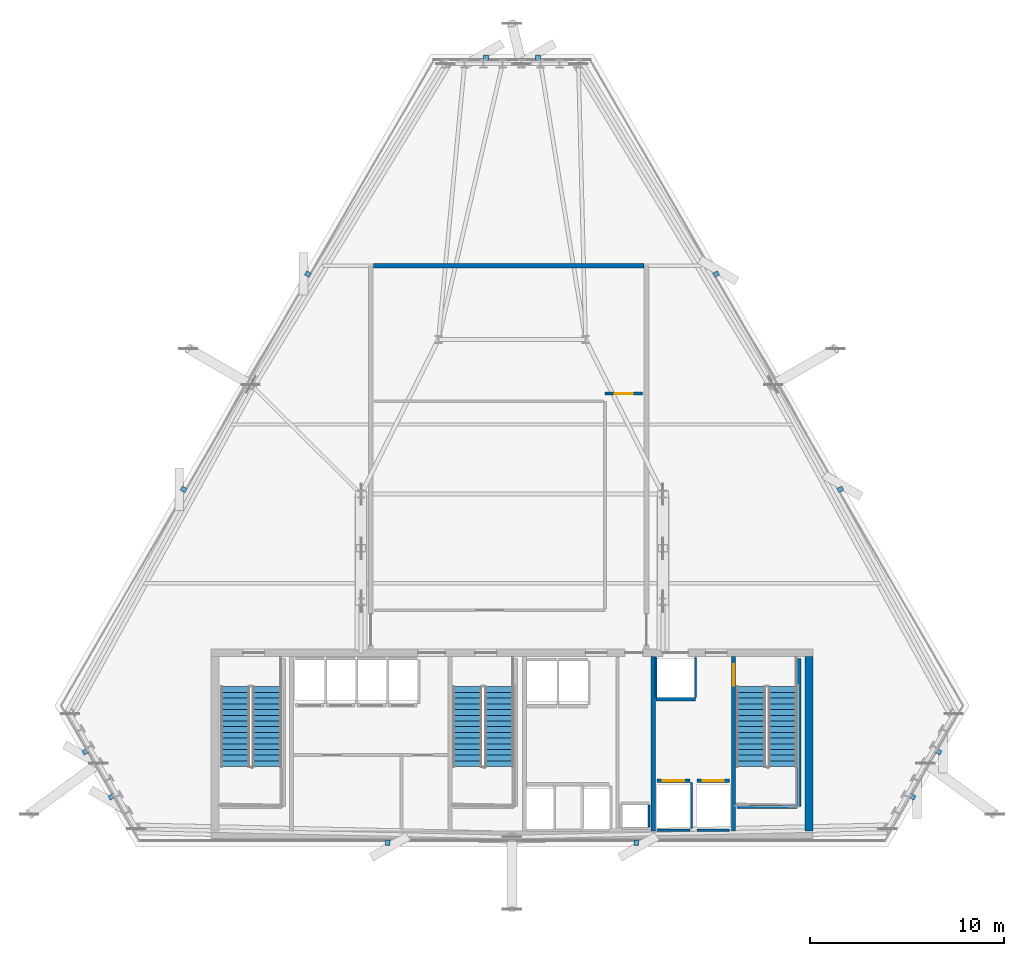
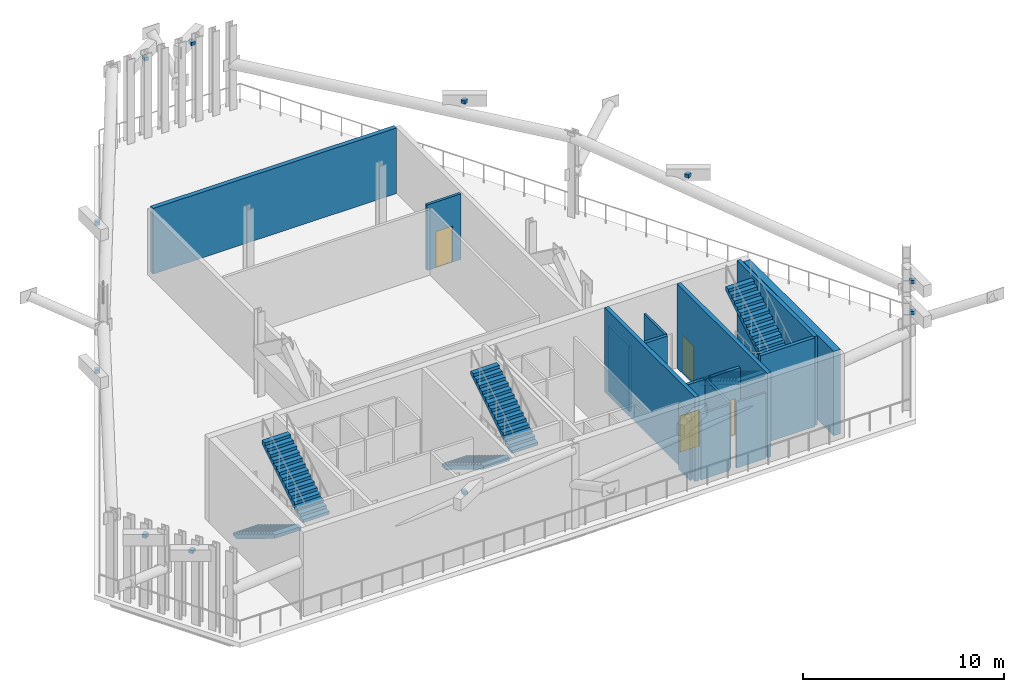
# One storey, part 5 of 11: 16 walls, 12 discrete accessories, 6 stair flights, 4 doors, 4 openings, 3 elements without a shape of their own.
"""IFC4 building model written with IfcOpenShell, lengths in metres."""

from ifc_helpers import new_model, si_unit, direction, frame, frame_2d, origin, origin_2d, place, context, subcontext, project, spatial, polyline, rectangle, outline, extrude, material, layer, layer_set, type_object, element, fill, aggregate, save


model = new_model("IFC4")

# Units and contexts
model_context = context("Model", 3, precision=1e-05, world=origin(), true_north=direction((0.0, 1.0)))
body_context = subcontext(model_context, "Body", "Model", "MODEL_VIEW")
ifc_project = project(units=[si_unit("LENGTHUNIT", "METRE"), si_unit("AREAUNIT", "SQUARE_METRE"), si_unit("VOLUMEUNIT", "CUBIC_METRE"), si_unit("PLANEANGLEUNIT", "RADIAN"), si_unit("MASSUNIT", "GRAM", prefix="KILO")], contexts=[model_context])

# Site, building, storey
site_placement = place(None, origin())
site = spatial("IfcSite", under=ifc_project, at=site_placement, CompositionType="ELEMENT")
building_placement = place(site_placement, origin())
building = spatial("IfcBuilding", under=site, at=building_placement, Name="Ndaravel Arena Tower", CompositionType="ELEMENT")
storey_placement = place(building_placement, frame((0.0, 0.0, 203.0)))
storey = spatial("IfcBuildingStorey", under=building, at=storey_placement, Name="L49", CompositionType="ELEMENT", Elevation=203.0)

# Wall, opening, door
ifc_material_1 = material(Name="Gypsum", Category="gypsum")
ifc_layer_1 = layer(ifc_material_1, 0.14990234375)
ifc_layer_set_1 = layer_set([ifc_layer_1], Name="Gypsum")
wall_type_1 = type_object("IfcWallType", Name="WALL-COMP-150", PredefinedType="PARTITIONING", material=ifc_layer_set_1)
wall_1_placement = place(storey_placement, frame((46.800048828125, 28.39990234375, 0.0), z_axis=(0.0, 0.0, 1.0), x_axis=(1.0, 0.0, 0.0)))
wall_1 = element("IfcWall", 1, at=wall_1_placement, inside=storey, type_object=wall_type_1, Name="L49 Interior Partition 003", PredefinedType="PARTITIONING", context=body_context, shape_type="SweptSolid", body=[
    extrude(rectangle(XDim=1.949951171875, YDim=0.14990234375, at=frame_2d((0.97509765625, 0.0))), origin(), (0.0, 0.0, 1.0), 3.989990234375),
])
opening_1_placement = place(wall_1_placement, frame((0.5, 0.0, 0.0)))
opening_1 = element("IfcOpeningElement", 2, at=opening_1_placement, cuts=wall_1, Name="Opening FD-03", PredefinedType="OPENING", context=body_context, shape_type="SweptSolid", body=[
    extrude(rectangle(XDim=0.949951171875, YDim=2.199951171875, at=frame_2d((0.47509765625, 1.10009765625))), frame((0.0, 0.074951171875, 0.0), z_axis=(0.0, -1.0, 0.0), x_axis=(1.0, 0.0, 0.0)), (0.0, 0.0, 1.0), 0.14990234375),
])
ifc_material_2 = material(Name="Steel S355", Category="steel")
door_type_1 = type_object("IfcDoorType", Name="DT-11-CORE-950", OperationType="SINGLE_SWING_LEFT", PredefinedType="DOOR", material=ifc_material_2)
door_1_placement = place(opening_1_placement, origin())
door_1 = element("IfcDoor", 3, at=door_1_placement, inside=storey, type_object=door_type_1, Name="L49 L49 Heat Exchanger & BMS Room Door", OperationType="SINGLE_SWING_LEFT", OverallHeight=2.199951171875, OverallWidth=0.949951171875, PredefinedType="DOOR", context=body_context, shape_type="SweptSolid", body=[
    extrude(rectangle(XDim=0.949951171875, YDim=2.199951171875, at=frame_2d((0.47509765625, 1.10009765625))), frame((0.0, 0.02490234375, 0.0), z_axis=(0.0, -1.0, 0.0), x_axis=(1.0, 0.0, 0.0)), (0.0, 0.0, 1.0), 0.050048828125),
])
fill(opening_1, door_1)

# Wall
ifc_material_3 = material(Name="Concrete C50/60", Category="concrete")
ifc_layer_2 = layer(ifc_material_3, 0.219970703125)
ifc_layer_set_2 = layer_set([ifc_layer_2], Name="Concrete C50/60")
wall_type_2 = type_object("IfcWallType", Name="WALL-CORE-220", PredefinedType="SOLIDWALL", material=ifc_layer_set_2)
wall_2_placement = place(storey_placement, frame((49.300048828125, 5.800048828125, 0.0), z_axis=(0.0, 0.0, 1.0), x_axis=(0.0, 1.0, 0.0)))
element("IfcWall", 4, at=wall_2_placement, inside=storey, type_object=wall_type_2, Name="L49 Core Web Shear Wall 4", PredefinedType="SOLIDWALL", context=body_context, shape_type="SweptSolid", body=[
    extrude(rectangle(XDim=9.0, YDim=0.219970703125, at=frame_2d((4.5, 0.0))), origin(), (0.0, 0.0, 1.0), 5.1201171875),
])

# Wall, opening, door
wall_3_placement = place(storey_placement, frame((53.449951171875, 5.800048828125, 0.0), z_axis=(0.0, 0.0, 1.0), x_axis=(0.0, 1.0, 0.0)))
wall_3 = element("IfcWall", 5, at=wall_3_placement, inside=storey, type_object=wall_type_2, Name="L49 Core Web Shear Wall 5", PredefinedType="SOLIDWALL", context=body_context, shape_type="SweptSolid", body=[
    extrude(rectangle(XDim=9.0, YDim=0.219970703125, at=frame_2d((4.5, 0.0))), origin(), (0.0, 0.0, 1.0), 5.1201171875),
])
opening_2_placement = place(wall_3_placement, frame((7.5, 0.0, 0.0)))
opening_2 = element("IfcOpeningElement", 6, at=opening_2_placement, cuts=wall_3, Name="Opening FD-01", PredefinedType="OPENING", context=body_context, shape_type="SweptSolid", body=[
    extrude(rectangle(XDim=1.10009765625, YDim=2.199951171875, at=frame_2d((0.550048828125, 1.10009765625))), frame((0.0, 0.10986328125, 0.0), z_axis=(0.0, -1.0, 0.0), x_axis=(1.0, 0.0, 0.0)), (0.0, 0.0, 1.0), 0.219970703125),
])
ifc_material_4 = material(Name="Steel S355", Category="steel")
door_type_2 = type_object("IfcDoorType", Name="DT-01-STAIR-1100", OperationType="SINGLE_SWING_LEFT", PredefinedType="DOOR", material=ifc_material_4)
door_2_placement = place(opening_2_placement, origin())
door_2 = element("IfcDoor", 7, at=door_2_placement, inside=storey, type_object=door_type_2, Name="L49 Firefighting Lobby to ST-3 Door", OperationType="SINGLE_SWING_LEFT", OverallHeight=2.199951171875, OverallWidth=1.10009765625, PredefinedType="DOOR", context=body_context, shape_type="SweptSolid", body=[
    extrude(rectangle(XDim=1.10009765625, YDim=2.199951171875, at=frame_2d((0.550048828125, 1.10009765625))), frame((0.0, 0.02490234375, 0.0), z_axis=(0.0, -1.0, 0.0), x_axis=(1.0, 0.0, 0.0)), (0.0, 0.0, 1.0), 0.050048828125),
])
fill(opening_2, door_2)

# Walls
ifc_material_5 = material(Name="Concrete C50/60", Category="concrete")
ifc_layer_3 = layer(ifc_material_5, 0.39990234375)
ifc_layer_set_3 = layer_set([ifc_layer_3], Name="Concrete C50/60")
wall_type_3 = type_object("IfcWallType", Name="WALL-CORE-400", PredefinedType="SOLIDWALL", material=ifc_layer_set_3)
wall_4_placement = place(storey_placement, frame((57.35009765625, 5.800048828125, 0.0), z_axis=(0.0, 0.0, 1.0), x_axis=(0.0, 1.0, 0.0)))
element("IfcWall", 8, at=wall_4_placement, inside=storey, type_object=wall_type_3, Name="L49 Core East Shear Wall", PredefinedType="SOLIDWALL", context=body_context, shape_type="SweptSolid", body=[
    extrude(rectangle(XDim=9.0, YDim=0.39990234375, at=frame_2d((4.5, 0.0))), origin(), (0.0, 0.0, 1.0), 5.1201171875),
])
ifc_material_6 = material(Name="Masonry", Category="masonry")
ifc_layer_4 = layer(ifc_material_6, 0.300048828125)
ifc_layer_set_4 = layer_set([ifc_layer_4], Name="Masonry")
wall_type_4 = type_object("IfcWallType", Name="WALL-POD-MAZERAS-300", PredefinedType="SOLIDWALL", material=ifc_layer_set_4)
wall_5_placement = place(storey_placement, frame((34.830078125, 35.0, 0.0), z_axis=(0.0, 0.0, 1.0), x_axis=(1.0, 0.0, 0.0)))
element("IfcWall", 9, at=wall_5_placement, inside=storey, type_object=wall_type_4, Name="L49 Wind Floor North BMS Enclosure", PredefinedType="SOLIDWALL", context=body_context, shape_type="SweptSolid", body=[
    extrude(rectangle(XDim=13.989990234375, YDim=0.25, at=frame_2d((6.9951171875, 0.0))), origin(), (0.0, 0.0, 1.0), 3.989990234375),
])
ifc_material_7 = material(Name="Concrete C40/50", Category="concrete")
ifc_layer_5 = layer(ifc_material_7, 0.1201171875)
ifc_layer_set_5 = layer_set([ifc_layer_5], Name="Concrete C40/50")
wall_type_5 = type_object("IfcWallType", Name="WALL-SHAFT-120", PredefinedType="SOLIDWALL", material=ifc_layer_set_5)
wall_6_placement = place(storey_placement, frame((49.080078125, 6.0, 0.0), z_axis=(0.0, 0.0, 1.0), x_axis=(0.0, 1.0, 0.0)))
element("IfcWall", 10, at=wall_6_placement, inside=storey, type_object=wall_type_5, Name="L49 MEP Riser Shaft E Wall", PredefinedType="SOLIDWALL", context=body_context, shape_type="SweptSolid", body=[
    extrude(rectangle(XDim=1.139892578125, YDim=0.1201171875, at=frame_2d((0.56982421875, 0.0))), origin(), (0.0, 0.0, 1.0), 3.989990234375),
])
wall_7_placement = place(storey_placement, frame((49.5048828125, 5.840087890625, 0.0), z_axis=(0.0, 0.0, 1.0), x_axis=(1.0, 0.0, 0.0)))
element("IfcWall", 11, at=wall_7_placement, inside=storey, type_object=wall_type_5, Name="L49 FFL-1 Shaft Rear Wall", PredefinedType="SOLIDWALL", context=body_context, shape_type="SweptSolid", body=[
    extrude(rectangle(XDim=1.690185546875, YDim=0.1201171875, at=frame_2d((0.84521484375, 0.0))), origin(), (0.0, 0.0, 1.0), 3.989990234375),
])
wall_8_placement = place(storey_placement, frame((51.27490234375, 5.929931640625, 0.0), z_axis=(0.0, 0.0, 1.0), x_axis=(0.0, 1.0, 0.0)))
element("IfcWall", 12, at=wall_8_placement, inside=storey, type_object=wall_type_5, Name="L49 FFL-1 Shaft Side R Wall", PredefinedType="SOLIDWALL", context=body_context, shape_type="SweptSolid", body=[
    extrude(rectangle(XDim=2.380126953125, YDim=0.1201171875, at=frame_2d((1.18994140625, 0.0))), origin(), (0.0, 0.0, 1.0), 3.989990234375),
])
wall_9_placement = place(storey_placement, frame((51.554931640625, 5.840087890625, 0.0), z_axis=(0.0, 0.0, 1.0), x_axis=(1.0, 0.0, 0.0)))
element("IfcWall", 13, at=wall_9_placement, inside=storey, type_object=wall_type_5, Name="L49 FFL-2 Shaft Rear Wall", PredefinedType="SOLIDWALL", context=body_context, shape_type="SweptSolid", body=[
    extrude(rectangle(XDim=1.690185546875, YDim=0.1201171875, at=frame_2d((0.84521484375, 0.0))), origin(), (0.0, 0.0, 1.0), 3.989990234375),
])
for number, where, z_axis, x_axis, name in (
    (14, (49.43994140625, 12.68994140625, 0.0), (0.0, 0.0, 1.0), (0.0, 1.0, 0.0), "L49 SVL-1 Shaft W Wall"),
    (15, (51.47998046875, 12.68994140625, 0.0), (0.0, 0.0, 1.0), (0.0, 1.0, 0.0), "L49 SVL-1 Shaft E Wall"),
):
    element("IfcWall", number, at=place(storey_placement, frame(where, z_axis=z_axis, x_axis=x_axis)), inside=storey, type_object=wall_type_5, Name=name, PredefinedType="SOLIDWALL", context=body_context, shape_type="SweptSolid", body=[
        extrude(rectangle(XDim=2.070068359375, YDim=0.1201171875, at=frame_2d((1.03515625, 0.0))), origin(), (0.0, 0.0, 1.0), 3.989990234375),
    ])
ifc_material_8 = material(Name="Concrete C40/50", Category="concrete")
ifc_layer_6 = layer(ifc_material_8, 0.199951171875)
ifc_layer_set_6 = layer_set([ifc_layer_6], Name="Concrete C40/50")
wall_type_6 = type_object("IfcWallType", Name="WALL-SHAFT-200", PredefinedType="SOLIDWALL", material=ifc_layer_set_6)
wall_10_placement = place(storey_placement, frame((56.840087890625, 14.699951171875, 0.0), z_axis=(0.0, 0.0, 1.0), x_axis=(0.0, -1.0, 0.0)))
element("IfcWall", 16, at=wall_10_placement, inside=storey, type_object=wall_type_6, Name="L49 ST-3 Structural Shaft Wall Right", PredefinedType="SOLIDWALL", context=body_context, shape_type="SweptSolid", body=[
    extrude(rectangle(XDim=7.64990234375, YDim=0.199951171875, at=frame_2d((3.824951171875, 0.0))), origin(), (0.0, 0.0, 1.0), 5.39990234375),
])
wall_11_placement = place(storey_placement, frame((53.6201171875, 7.050048828125, 0.0), z_axis=(0.0, 0.0, 1.0), x_axis=(1.0, 0.0, 0.0)))
element("IfcWall", 17, at=wall_11_placement, inside=storey, type_object=wall_type_6, Name="L49 ST-3 Structural Shaft Wall Far", PredefinedType="SOLIDWALL", context=body_context, shape_type="SweptSolid", body=[
    extrude(rectangle(XDim=3.114990234375, YDim=0.199951171875, at=frame_2d((1.5576171875, 0.0))), origin(), (0.0, 0.0, 1.0), 5.39990234375),
])

# Wall, opening, door
wall_12_placement = place(storey_placement, frame((49.5048828125, 8.39990234375, 0.0), z_axis=(0.0, 0.0, 1.0), x_axis=(1.0, 0.0, 0.0)))
wall_12 = element("IfcWall", 18, at=wall_12_placement, inside=storey, type_object=wall_type_6, Name="L49 FFL-1 Shaft Landing Wall", PredefinedType="SOLIDWALL", context=body_context, shape_type="SweptSolid", body=[
    extrude(rectangle(XDim=1.690185546875, YDim=0.179931640625, at=frame_2d((0.84521484375, 0.0))), origin(), (0.0, 0.0, 1.0), 3.989990234375),
])
opening_3_placement = place(wall_12_placement, frame((0.294921875, 0.0, 0.0)))
opening_3 = element("IfcOpeningElement", 19, at=opening_3_placement, cuts=wall_12, Name="Opening LD-01", PredefinedType="OPENING", context=body_context, shape_type="SweptSolid", body=[
    extrude(rectangle(XDim=1.10009765625, YDim=2.199951171875, at=frame_2d((0.550048828125, 1.10009765625))), frame((0.0, 0.08984375, 0.0), z_axis=(0.0, -1.0, 0.0), x_axis=(1.0, 0.0, 0.0)), (0.0, 0.0, 1.0), 0.179931640625),
])
ifc_material_9 = material(Name="Steel S355", Category="steel")
door_type_3 = type_object("IfcDoorType", Name="DT-06-LIFT-1100", OperationType="SLIDING_TO_LEFT", PredefinedType="DOOR", material=ifc_material_9)
door_3_placement = place(opening_3_placement, origin())
door_3 = element("IfcDoor", 20, at=door_3_placement, inside=storey, type_object=door_type_3, Name="L49 Lift FFL-1 Sliding Landing Door", OperationType="SLIDING_TO_LEFT", OverallHeight=2.199951171875, OverallWidth=1.10009765625, PredefinedType="DOOR", context=body_context, shape_type="SweptSolid", body=[
    extrude(rectangle(XDim=1.10009765625, YDim=2.199951171875, at=frame_2d((0.550048828125, 1.10009765625))), frame((0.0, 0.02490234375, 0.0), z_axis=(0.0, -1.0, 0.0), x_axis=(1.0, 0.0, 0.0)), (0.0, 0.0, 1.0), 0.050048828125),
])
fill(opening_3, door_3)

wall_13_placement = place(storey_placement, frame((51.554931640625, 8.39990234375, 0.0), z_axis=(0.0, 0.0, 1.0), x_axis=(1.0, 0.0, 0.0)))
wall_13 = element("IfcWall", 21, at=wall_13_placement, inside=storey, type_object=wall_type_6, Name="L49 FFL-2 Shaft Landing Wall", PredefinedType="SOLIDWALL", context=body_context, shape_type="SweptSolid", body=[
    extrude(rectangle(XDim=1.690185546875, YDim=0.179931640625, at=frame_2d((0.84521484375, 0.0))), origin(), (0.0, 0.0, 1.0), 3.989990234375),
])
opening_4_placement = place(wall_13_placement, frame((0.294921875, 0.0, 0.0)))
opening_4 = element("IfcOpeningElement", 22, at=opening_4_placement, cuts=wall_13, Name="Opening LD-01", PredefinedType="OPENING", context=body_context, shape_type="SweptSolid", body=[
    extrude(rectangle(XDim=1.10009765625, YDim=2.199951171875, at=frame_2d((0.550048828125, 1.10009765625))), frame((0.0, 0.08984375, 0.0), z_axis=(0.0, -1.0, 0.0), x_axis=(1.0, 0.0, 0.0)), (0.0, 0.0, 1.0), 0.179931640625),
])
door_4_placement = place(opening_4_placement, origin())
door_4 = element("IfcDoor", 23, at=door_4_placement, inside=storey, type_object=door_type_3, Name="L49 Lift FFL-2 Sliding Landing Door", OperationType="SLIDING_TO_LEFT", OverallHeight=2.199951171875, OverallWidth=1.10009765625, PredefinedType="DOOR", context=body_context, shape_type="SweptSolid", body=[
    extrude(rectangle(XDim=1.10009765625, YDim=2.199951171875, at=frame_2d((0.550048828125, 1.10009765625))), frame((0.0, 0.02490234375, 0.0), z_axis=(0.0, -1.0, 0.0), x_axis=(1.0, 0.0, 0.0)), (0.0, 0.0, 1.0), 0.050048828125),
])
fill(opening_4, door_4)

# Wall
wall_14_placement = place(storey_placement, frame((49.43994140625, 12.594970703125, 0.0), z_axis=(0.0, 0.0, 1.0), x_axis=(1.0, 0.0, 0.0)))
element("IfcWall", 24, at=wall_14_placement, inside=storey, type_object=wall_type_6, Name="L49 SVL-1 Shaft South Wall", PredefinedType="SOLIDWALL", context=body_context, shape_type="SweptSolid", body=[
    extrude(rectangle(XDim=2.0400390625, YDim=0.179931640625, at=frame_2d((1.02001953125, 0.0))), origin(), (0.0, 0.0, 1.0), 3.989990234375),
])

# Stair, stair flights
ifc_material_10 = material(Name="Concrete C40/50", Category="concrete")
stair_type = type_object("IfcStairType", Name="STAIR-CORE-HT", PredefinedType="HALF_TURN_STAIR", material=ifc_material_10)
stair_1_placement = place(storey_placement, origin())
stair_1 = element("IfcStair", 25, at=stair_1_placement, inside=storey, type_object=stair_type, Name="L49 ST-1", PredefinedType="HALF_TURN_STAIR")
ifc_material_11 = material(Name="Concrete C40/50", Category="concrete")
stair_flight_type = type_object("IfcStairFlightType", Name="SFLIGHT-CORE-1680", PredefinedType="STRAIGHT", material=ifc_material_11)
stair_flight_1_placement = place(storey_placement, frame((27.699951171875, 13.25, 0.0), z_axis=(0.0, 0.0, 1.0), x_axis=(0.0, -1.0, 0.0)))
stair_flight_1 = element("IfcStairFlight", 26, at=stair_flight_1_placement, type_object=stair_flight_type, Name="ST-1 flight 1", NumberOfRisers=15, NumberOfTreads=14, PredefinedType="STRAIGHT", RiserHeight=0.18, TreadLength=0.295, context=body_context, shape_type="SweptSolid", body=[
    extrude(outline(polyline([(0.0, 0.0), (0.0, 0.179931640625), (0.294921875, 0.179931640625), (0.294921875, 0.360107421875), (0.590087890625, 0.360107421875), (0.590087890625, 0.5400390625), (0.885009765625, 0.5400390625), (0.885009765625, 0.719970703125), (1.179931640625, 0.719970703125), (1.179931640625, 0.89990234375), (1.47509765625, 0.89990234375), (1.47509765625, 1.080078125), (1.77001953125, 1.080078125), (1.77001953125, 1.260009765625), (2.06494140625, 1.260009765625), (2.06494140625, 1.43994140625), (2.360107421875, 1.43994140625), (2.360107421875, 1.6201171875), (2.655029296875, 1.6201171875), (2.655029296875, 1.800048828125), (2.949951171875, 1.800048828125), (2.949951171875, 1.97998046875), (3.2451171875, 1.97998046875), (3.2451171875, 2.159912109375), (3.5400390625, 2.159912109375), (3.5400390625, 2.340087890625), (3.8349609375, 2.340087890625), (3.8349609375, 2.52001953125), (4.1298828125, 2.52001953125), (4.1298828125, 2.699951171875), (4.1298828125, 2.309326171875), (0.345458984375, 0.0), (0.0, 0.0)])), frame((0.0, 0.75, 0.0), z_axis=(0.0, -1.0, 0.0), x_axis=(1.0, 0.0, 0.0)), (0.0, 0.0, 1.0), 1.5),
])
stair_flight_2_placement = place(storey_placement, frame((29.340087890625, 9.1201171875, 2.699951171875), z_axis=(0.0, 0.0, 1.0), x_axis=(0.0, 1.0, 0.0)))
stair_flight_2 = element("IfcStairFlight", 27, at=stair_flight_2_placement, type_object=stair_flight_type, Name="ST-1 flight 2", NumberOfRisers=15, NumberOfTreads=14, PredefinedType="STRAIGHT", RiserHeight=0.18, TreadLength=0.295, context=body_context, shape_type="SweptSolid", body=[
    extrude(outline(polyline([(0.0, 0.0), (0.0, 0.179931640625), (0.294921875, 0.179931640625), (0.294921875, 0.360107421875), (0.590087890625, 0.360107421875), (0.590087890625, 0.5400390625), (0.885009765625, 0.5400390625), (0.885009765625, 0.719970703125), (1.179931640625, 0.719970703125), (1.179931640625, 0.89990234375), (1.47509765625, 0.89990234375), (1.47509765625, 1.080078125), (1.77001953125, 1.080078125), (1.77001953125, 1.260009765625), (2.06494140625, 1.260009765625), (2.06494140625, 1.43994140625), (2.360107421875, 1.43994140625), (2.360107421875, 1.6201171875), (2.655029296875, 1.6201171875), (2.655029296875, 1.800048828125), (2.949951171875, 1.800048828125), (2.949951171875, 1.97998046875), (3.2451171875, 1.97998046875), (3.2451171875, 2.159912109375), (3.5400390625, 2.159912109375), (3.5400390625, 2.340087890625), (3.8349609375, 2.340087890625), (3.8349609375, 2.52001953125), (4.1298828125, 2.52001953125), (4.1298828125, 2.699951171875), (4.1298828125, 2.309326171875), (0.345458984375, 0.0), (0.0, 0.0)])), frame((0.0, 0.75, 0.0), z_axis=(0.0, -1.0, 0.0), x_axis=(1.0, 0.0, 0.0)), (0.0, 0.0, 1.0), 1.5),
])
aggregate(stair_1, [stair_flight_1, stair_flight_2])

stair_2_placement = place(storey_placement, origin())
stair_2 = element("IfcStair", 28, at=stair_2_placement, inside=storey, type_object=stair_type, Name="L49 ST-2", PredefinedType="HALF_TURN_STAIR")
stair_flight_3_placement = place(storey_placement, frame((39.699951171875, 13.25, 0.0), z_axis=(0.0, 0.0, 1.0), x_axis=(0.0, -1.0, 0.0)))
stair_flight_3 = element("IfcStairFlight", 29, at=stair_flight_3_placement, type_object=stair_flight_type, Name="ST-2 flight 1", NumberOfRisers=15, NumberOfTreads=14, PredefinedType="STRAIGHT", RiserHeight=0.18, TreadLength=0.295, context=body_context, shape_type="SweptSolid", body=[
    extrude(outline(polyline([(0.0, 0.0), (0.0, 0.179931640625), (0.294921875, 0.179931640625), (0.294921875, 0.360107421875), (0.590087890625, 0.360107421875), (0.590087890625, 0.5400390625), (0.885009765625, 0.5400390625), (0.885009765625, 0.719970703125), (1.179931640625, 0.719970703125), (1.179931640625, 0.89990234375), (1.47509765625, 0.89990234375), (1.47509765625, 1.080078125), (1.77001953125, 1.080078125), (1.77001953125, 1.260009765625), (2.06494140625, 1.260009765625), (2.06494140625, 1.43994140625), (2.360107421875, 1.43994140625), (2.360107421875, 1.6201171875), (2.655029296875, 1.6201171875), (2.655029296875, 1.800048828125), (2.949951171875, 1.800048828125), (2.949951171875, 1.97998046875), (3.2451171875, 1.97998046875), (3.2451171875, 2.159912109375), (3.5400390625, 2.159912109375), (3.5400390625, 2.340087890625), (3.8349609375, 2.340087890625), (3.8349609375, 2.52001953125), (4.1298828125, 2.52001953125), (4.1298828125, 2.699951171875), (4.1298828125, 2.309326171875), (0.345458984375, 0.0), (0.0, 0.0)])), frame((0.0, 0.75, 0.0), z_axis=(0.0, -1.0, 0.0), x_axis=(1.0, 0.0, 0.0)), (0.0, 0.0, 1.0), 1.5),
])
stair_flight_4_placement = place(storey_placement, frame((41.340087890625, 9.1201171875, 2.699951171875), z_axis=(0.0, 0.0, 1.0), x_axis=(0.0, 1.0, 0.0)))
stair_flight_4 = element("IfcStairFlight", 30, at=stair_flight_4_placement, type_object=stair_flight_type, Name="ST-2 flight 2", NumberOfRisers=15, NumberOfTreads=14, PredefinedType="STRAIGHT", RiserHeight=0.18, TreadLength=0.295, context=body_context, shape_type="SweptSolid", body=[
    extrude(outline(polyline([(0.0, 0.0), (0.0, 0.179931640625), (0.294921875, 0.179931640625), (0.294921875, 0.360107421875), (0.590087890625, 0.360107421875), (0.590087890625, 0.5400390625), (0.885009765625, 0.5400390625), (0.885009765625, 0.719970703125), (1.179931640625, 0.719970703125), (1.179931640625, 0.89990234375), (1.47509765625, 0.89990234375), (1.47509765625, 1.080078125), (1.77001953125, 1.080078125), (1.77001953125, 1.260009765625), (2.06494140625, 1.260009765625), (2.06494140625, 1.43994140625), (2.360107421875, 1.43994140625), (2.360107421875, 1.6201171875), (2.655029296875, 1.6201171875), (2.655029296875, 1.800048828125), (2.949951171875, 1.800048828125), (2.949951171875, 1.97998046875), (3.2451171875, 1.97998046875), (3.2451171875, 2.159912109375), (3.5400390625, 2.159912109375), (3.5400390625, 2.340087890625), (3.8349609375, 2.340087890625), (3.8349609375, 2.52001953125), (4.1298828125, 2.52001953125), (4.1298828125, 2.699951171875), (4.1298828125, 2.309326171875), (0.345458984375, 0.0), (0.0, 0.0)])), frame((0.0, 0.75, 0.0), z_axis=(0.0, -1.0, 0.0), x_axis=(1.0, 0.0, 0.0)), (0.0, 0.0, 1.0), 1.5),
])
aggregate(stair_2, [stair_flight_3, stair_flight_4])

stair_3_placement = place(storey_placement, origin())
stair_3 = element("IfcStair", 31, at=stair_3_placement, inside=storey, type_object=stair_type, Name="L49 ST-3", PredefinedType="HALF_TURN_STAIR")
stair_flight_5_placement = place(storey_placement, frame((54.35009765625, 13.25, 0.0), z_axis=(0.0, 0.0, 1.0), x_axis=(0.0, -1.0, 0.0)))
stair_flight_5 = element("IfcStairFlight", 32, at=stair_flight_5_placement, type_object=stair_flight_type, Name="ST-3 flight 1", NumberOfRisers=15, NumberOfTreads=14, PredefinedType="STRAIGHT", RiserHeight=0.18, TreadLength=0.295, context=body_context, shape_type="SweptSolid", body=[
    extrude(outline(polyline([(0.0, 0.0), (0.0, 0.179931640625), (0.294921875, 0.179931640625), (0.294921875, 0.360107421875), (0.590087890625, 0.360107421875), (0.590087890625, 0.5400390625), (0.885009765625, 0.5400390625), (0.885009765625, 0.719970703125), (1.179931640625, 0.719970703125), (1.179931640625, 0.89990234375), (1.47509765625, 0.89990234375), (1.47509765625, 1.080078125), (1.77001953125, 1.080078125), (1.77001953125, 1.260009765625), (2.06494140625, 1.260009765625), (2.06494140625, 1.43994140625), (2.360107421875, 1.43994140625), (2.360107421875, 1.6201171875), (2.655029296875, 1.6201171875), (2.655029296875, 1.800048828125), (2.949951171875, 1.800048828125), (2.949951171875, 1.97998046875), (3.2451171875, 1.97998046875), (3.2451171875, 2.159912109375), (3.5400390625, 2.159912109375), (3.5400390625, 2.340087890625), (3.8349609375, 2.340087890625), (3.8349609375, 2.52001953125), (4.1298828125, 2.52001953125), (4.1298828125, 2.699951171875), (4.1298828125, 2.309326171875), (0.345458984375, 0.0), (0.0, 0.0)])), frame((0.0, 0.75, 0.0), z_axis=(0.0, -1.0, 0.0), x_axis=(1.0, 0.0, 0.0)), (0.0, 0.0, 1.0), 1.5),
])
stair_flight_6_placement = place(storey_placement, frame((55.989990234375, 9.1201171875, 2.699951171875), z_axis=(0.0, 0.0, 1.0), x_axis=(0.0, 1.0, 0.0)))
stair_flight_6 = element("IfcStairFlight", 33, at=stair_flight_6_placement, type_object=stair_flight_type, Name="ST-3 flight 2", NumberOfRisers=15, NumberOfTreads=14, PredefinedType="STRAIGHT", RiserHeight=0.18, TreadLength=0.295, context=body_context, shape_type="SweptSolid", body=[
    extrude(outline(polyline([(0.0, 0.0), (0.0, 0.179931640625), (0.294921875, 0.179931640625), (0.294921875, 0.360107421875), (0.590087890625, 0.360107421875), (0.590087890625, 0.5400390625), (0.885009765625, 0.5400390625), (0.885009765625, 0.719970703125), (1.179931640625, 0.719970703125), (1.179931640625, 0.89990234375), (1.47509765625, 0.89990234375), (1.47509765625, 1.080078125), (1.77001953125, 1.080078125), (1.77001953125, 1.260009765625), (2.06494140625, 1.260009765625), (2.06494140625, 1.43994140625), (2.360107421875, 1.43994140625), (2.360107421875, 1.6201171875), (2.655029296875, 1.6201171875), (2.655029296875, 1.800048828125), (2.949951171875, 1.800048828125), (2.949951171875, 1.97998046875), (3.2451171875, 1.97998046875), (3.2451171875, 2.159912109375), (3.5400390625, 2.159912109375), (3.5400390625, 2.340087890625), (3.8349609375, 2.340087890625), (3.8349609375, 2.52001953125), (4.1298828125, 2.52001953125), (4.1298828125, 2.699951171875), (4.1298828125, 2.309326171875), (0.345458984375, 0.0), (0.0, 0.0)])), frame((0.0, 0.75, 0.0), z_axis=(0.0, -1.0, 0.0), x_axis=(1.0, 0.0, 0.0)), (0.0, 0.0, 1.0), 1.5),
])
aggregate(stair_3, [stair_flight_5, stair_flight_6])

# Discrete accessories
ifc_material_12 = material(Name="Steel S355", Category="steel")
discrete_accessory_type = type_object("IfcDiscreteAccessoryType", Name="ACC-BRACKET-FIN", PredefinedType="BRACKET", material=ifc_material_12)
for number, where, z_axis, x_axis, name in (
    (34, (35.577392578125, 5.179931640625, 4.419921875), (0.0, 0.0, 1.0), (0.0, -1.0, 0.0), "L49 Wind-Floor Acoustic Louvre 1.1 Bracket"),
    (35, (48.422607421875, 5.179931640625, 4.419921875), (0.0, 0.0, 1.0), (0.0, -1.0, 0.0), "L49 Wind-Floor Acoustic Louvre 1.2 Bracket"),
    (36, (62.69970703125, 7.560791015625, 4.419921875), (0.0, 0.0, 1.0), (0.866025403784, -0.5, 0.0), "L49 Wind-Floor Acoustic Louvre 2.1 Bracket"),
    (37, (64.04541015625, 9.8916015625, 4.419921875), (0.0, 0.0, 1.0), (0.866025403784, -0.5, 0.0), "L49 Wind-Floor Acoustic Louvre 2.2 Bracket"),
    (38, (58.96875, 23.44677734375, 4.419921875), (0.0, 0.0, 1.0), (0.866025403784, 0.5, 0.0), "L49 Wind-Floor Acoustic Louvre 3.1 Bracket"),
    (39, (52.546142578125, 34.57080078125, 4.419921875), (0.0, 0.0, 1.0), (0.866025403784, 0.5, 0.0), "L49 Wind-Floor Acoustic Louvre 3.2 Bracket"),
    (40, (43.345703125, 45.744873046875, 4.419921875), (0.0, 0.0, 1.0), (0.0, 1.0, 0.0), "L49 Wind-Floor Acoustic Louvre 4.1 Bracket"),
    (41, (40.654296875, 45.744873046875, 4.419921875), (0.0, 0.0, 1.0), (0.0, 1.0, 0.0), "L49 Wind-Floor Acoustic Louvre 4.2 Bracket"),
    (42, (31.453857421875, 34.57080078125, 4.419921875), (0.0, 0.0, 1.0), (-0.866025403784, 0.5, 0.0), "L49 Wind-Floor Acoustic Louvre 5.1 Bracket"),
    (43, (25.03125, 23.44677734375, 4.419921875), (0.0, 0.0, 1.0), (-0.866025403784, 0.5, 0.0), "L49 Wind-Floor Acoustic Louvre 5.2 Bracket"),
    (44, (19.95458984375, 9.8916015625, 4.419921875), (0.0, 0.0, 1.0), (-0.866025403784, -0.5, 0.0), "L49 Wind-Floor Acoustic Louvre 6.1 Bracket"),
    (45, (21.30029296875, 7.560791015625, 4.419921875), (0.0, 0.0, 1.0), (-0.866025403784, -0.5, 0.0), "L49 Wind-Floor Acoustic Louvre 6.2 Bracket"),
):
    element("IfcDiscreteAccessory", number, at=place(storey_placement, frame(where, z_axis=z_axis, x_axis=x_axis)), inside=storey, type_object=discrete_accessory_type, Name=name, PredefinedType="BRACKET", context=body_context, shape_type="SweptSolid", body=[
        extrude(rectangle(XDim=0.280029296875, YDim=0.239990234375, at=origin_2d()), origin(), (0.0, 0.0, 1.0), 0.199951171875),
    ])

save(model, "model.ifc")
